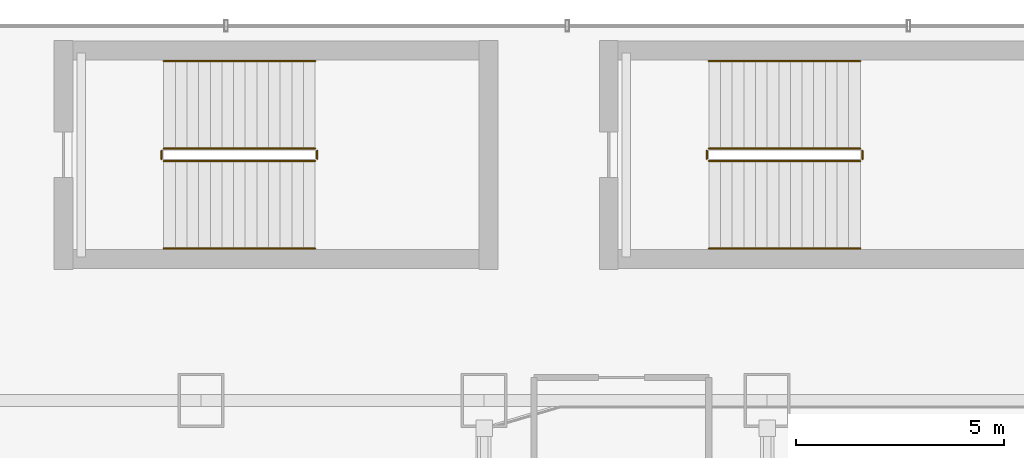
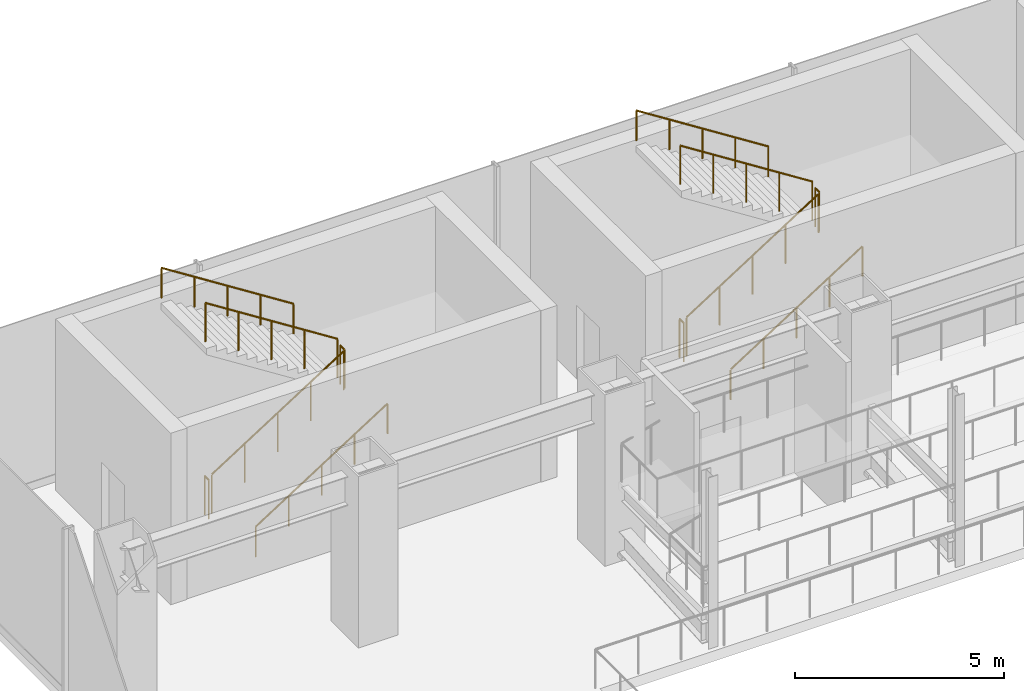
# One storey, part 36 of 39: 12 railings.
"""IFC4 building model written with IfcOpenShell, lengths in metres."""

from ifc_helpers import new_model, si_unit, derived_unit, direction, frame, origin, origin_2d, place, context, subcontext, project, spatial, circle, extrude, material, type_object, element, save


model = new_model("IFC4")

# Units and contexts
model_context = context("Model", 3, precision=1e-05, world=origin(), true_north=direction((0.0, 1.0)))
body_context = subcontext(model_context, "Body", "Model", "MODEL_VIEW")
ifc_project = project(units=[si_unit("LENGTHUNIT", "METRE"), si_unit("AREAUNIT", "SQUARE_METRE"), si_unit("VOLUMEUNIT", "CUBIC_METRE"), si_unit("PLANEANGLEUNIT", "RADIAN"), si_unit("MASSUNIT", "GRAM", prefix="KILO"), derived_unit("THERMALTRANSMITTANCEUNIT", [(si_unit("POWERUNIT", "WATT"), 1), (si_unit("LENGTHUNIT", "METRE"), -2), (si_unit("THERMODYNAMICTEMPERATUREUNIT", "KELVIN"), -1)])], contexts=[model_context])

# Site, building, storey
site_placement = place(None, origin())
site = spatial("IfcSite", under=ifc_project, at=site_placement, CompositionType="ELEMENT")
building_placement = place(site_placement, origin())
building = spatial("IfcBuilding", under=site, at=building_placement, Name="Skarnbrae Concourse Arena and Tower", CompositionType="ELEMENT")
storey_placement = place(building_placement, frame((0.0, 0.0, 11.0)))
storey = spatial("IfcBuildingStorey", under=building, at=storey_placement, Name="L02", CompositionType="ELEMENT", Elevation=11.0)

# Railings
ifc_material = material(Name="Steel CSA G40.21 350W", Category="steel")
railing_type_1 = type_object("IfcRailingType", Name="RAIL-HANDRAIL-900", PredefinedType="HANDRAIL", material=ifc_material)
railing_1_placement = place(storey_placement, frame((6.699951171875, 50.64990234375, 0.178466796875)))
element("IfcRailing", 1, at=railing_1_placement, inside=storey, type_object=railing_type_1, Name="L02 ST-A5 stair handrail 1", PredefinedType="HANDRAIL", context=body_context, shape_type="SweptSolid", body=[
    extrude(circle(Radius=0.02392578125, at=origin_2d()), frame((0.0, 0.0, 0.8759765625), z_axis=(0.843127859045, 0.0, 0.537713132908), x_axis=(0.0, 1.0, 0.0)), (0.0, 0.0, 1.0), 4.3173828125),
    extrude(circle(Radius=0.02099609375, at=origin_2d()), origin(), (0.0, 0.0, 1.0), 0.851806640625),
    extrude(circle(Radius=0.02099609375, at=origin_2d()), frame((0.91015625, 0.0, 0.580322265625)), (0.0, 0.0, 1.0), 0.851806640625),
    extrude(circle(Radius=0.02099609375, at=origin_2d()), frame((1.820068359375, 0.0, 1.16064453125)), (0.0, 0.0, 1.0), 0.851806640625),
    extrude(circle(Radius=0.02099609375, at=origin_2d()), frame((2.72998046875, 0.0, 1.7412109375)), (0.0, 0.0, 1.0), 0.851806640625),
    extrude(circle(Radius=0.02099609375, at=origin_2d()), frame((3.64013671875, 0.0, 2.321533203125)), (0.0, 0.0, 1.0), 0.851806640625),
])
railing_2_placement = place(storey_placement, frame((10.340087890625, 55.14990234375, 2.678466796875)))
element("IfcRailing", 2, at=railing_2_placement, inside=storey, type_object=railing_type_1, Name="L02 ST-A5 stair handrail 2", PredefinedType="HANDRAIL", context=body_context, shape_type="SweptSolid", body=[
    extrude(circle(Radius=0.02392578125, at=origin_2d()), frame((0.0, 0.0, 0.8759765625), z_axis=(-0.843127859045, 0.0, 0.537713132908), x_axis=(0.0, -1.0, 0.0)), (0.0, 0.0, 1.0), 4.3173828125),
    extrude(circle(Radius=0.02099609375, at=origin_2d()), origin(), (0.0, 0.0, 1.0), 0.851806640625),
    extrude(circle(Radius=0.02099609375, at=origin_2d()), frame((-0.91015625, 0.0, 0.580322265625)), (0.0, 0.0, 1.0), 0.851806640625),
    extrude(circle(Radius=0.02099609375, at=origin_2d()), frame((-1.820068359375, 0.0, 1.16064453125)), (0.0, 0.0, 1.0), 0.851806640625),
    extrude(circle(Radius=0.02099609375, at=origin_2d()), frame((-2.72998046875, 0.0, 1.7412109375)), (0.0, 0.0, 1.0), 0.851806640625),
    extrude(circle(Radius=0.02099609375, at=origin_2d()), frame((-3.64013671875, 0.0, 2.321533203125)), (0.0, 0.0, 1.0), 0.851806640625),
])
railing_3_placement = place(storey_placement, frame((19.800048828125, 50.64990234375, 0.178466796875)))
element("IfcRailing", 3, at=railing_3_placement, inside=storey, type_object=railing_type_1, Name="L02 ST-A6 stair handrail 1", PredefinedType="HANDRAIL", context=body_context, shape_type="SweptSolid", body=[
    extrude(circle(Radius=0.02392578125, at=origin_2d()), frame((0.0, 0.0, 0.8759765625), z_axis=(0.843111507901, 0.0, 0.53773877045), x_axis=(0.0, 1.0, 0.0)), (0.0, 0.0, 1.0), 4.317138671875),
    extrude(circle(Radius=0.02099609375, at=origin_2d()), origin(), (0.0, 0.0, 1.0), 0.851806640625),
    extrude(circle(Radius=0.02099609375, at=origin_2d()), frame((0.909912109375, 0.0, 0.580322265625)), (0.0, 0.0, 1.0), 0.851806640625),
    extrude(circle(Radius=0.02099609375, at=origin_2d()), frame((1.81982421875, 0.0, 1.16064453125)), (0.0, 0.0, 1.0), 0.851806640625),
    extrude(circle(Radius=0.02099609375, at=origin_2d()), frame((2.72998046875, 0.0, 1.7412109375)), (0.0, 0.0, 1.0), 0.851806640625),
    extrude(circle(Radius=0.02099609375, at=origin_2d()), frame((3.639892578125, 0.0, 2.321533203125)), (0.0, 0.0, 1.0), 0.851806640625),
])
railing_4_placement = place(storey_placement, frame((23.43994140625, 55.14990234375, 2.678466796875)))
element("IfcRailing", 4, at=railing_4_placement, inside=storey, type_object=railing_type_1, Name="L02 ST-A6 stair handrail 2", PredefinedType="HANDRAIL", context=body_context, shape_type="SweptSolid", body=[
    extrude(circle(Radius=0.02392578125, at=origin_2d()), frame((0.0, 0.0, 0.8759765625), z_axis=(-0.843111507901, 0.0, 0.53773877045), x_axis=(0.0, -1.0, 0.0)), (0.0, 0.0, 1.0), 4.317138671875),
    extrude(circle(Radius=0.02099609375, at=origin_2d()), origin(), (0.0, 0.0, 1.0), 0.851806640625),
    extrude(circle(Radius=0.02099609375, at=origin_2d()), frame((-0.909912109375, 0.0, 0.580322265625)), (0.0, 0.0, 1.0), 0.851806640625),
    extrude(circle(Radius=0.02099609375, at=origin_2d()), frame((-1.81982421875, 0.0, 1.16064453125)), (0.0, 0.0, 1.0), 0.851806640625),
    extrude(circle(Radius=0.02099609375, at=origin_2d()), frame((-2.72998046875, 0.0, 1.7412109375)), (0.0, 0.0, 1.0), 0.851806640625),
    extrude(circle(Radius=0.02099609375, at=origin_2d()), frame((-3.639892578125, 0.0, 2.321533203125)), (0.0, 0.0, 1.0), 0.851806640625),
])
railing_type_2 = type_object("IfcRailingType", Name="RAIL-STAIR-GUARD-1150", PredefinedType="GUARDRAIL", material=ifc_material)
railing_5_placement = place(storey_placement, frame((6.699951171875, 52.75, 0.178466796875)))
element("IfcRailing", 5, at=railing_5_placement, inside=storey, type_object=railing_type_2, Name="L02 ST-A5 stair guard 1", PredefinedType="GUARDRAIL", context=body_context, shape_type="SweptSolid", body=[
    extrude(circle(Radius=0.02392578125, at=origin_2d()), frame((0.0, 0.0, 1.1259765625), z_axis=(0.843127859045, 0.0, 0.537713132908), x_axis=(0.0, 1.0, 0.0)), (0.0, 0.0, 1.0), 4.3173828125),
    extrude(circle(Radius=0.02099609375, at=origin_2d()), origin(), (0.0, 0.0, 1.0), 1.101806640625),
    extrude(circle(Radius=0.02099609375, at=origin_2d()), frame((0.91015625, 0.0, 0.580322265625)), (0.0, 0.0, 1.0), 1.101806640625),
    extrude(circle(Radius=0.02099609375, at=origin_2d()), frame((1.820068359375, 0.0, 1.16064453125)), (0.0, 0.0, 1.0), 1.101806640625),
    extrude(circle(Radius=0.02099609375, at=origin_2d()), frame((2.72998046875, 0.0, 1.7412109375)), (0.0, 0.0, 1.0), 1.101806640625),
    extrude(circle(Radius=0.02099609375, at=origin_2d()), frame((3.64013671875, 0.0, 2.321533203125)), (0.0, 0.0, 1.0), 1.101806640625),
])
railing_6_placement = place(storey_placement, frame((10.389892578125, 52.800048828125, 2.5)))
element("IfcRailing", 6, at=railing_6_placement, inside=storey, type_object=railing_type_2, Name="L02 ST-A5 stair guard 2", PredefinedType="GUARDRAIL", context=body_context, shape_type="SweptSolid", body=[
    extrude(circle(Radius=0.02392578125, at=origin_2d()), frame((0.0, 0.0, 1.1259765625), z_axis=(0.0, 1.0, 0.0), x_axis=(-1.0, 0.0, 0.0)), (0.0, 0.0, 1.0), 0.199951171875),
    extrude(circle(Radius=0.02099609375, at=origin_2d()), origin(), (0.0, 0.0, 1.0), 1.101806640625),
    extrude(circle(Radius=0.02099609375, at=origin_2d()), frame((0.0, 0.199951171875, 0.0)), (0.0, 0.0, 1.0), 1.101806640625),
])
railing_7_placement = place(storey_placement, frame((10.340087890625, 53.050048828125, 2.678466796875)))
element("IfcRailing", 7, at=railing_7_placement, inside=storey, type_object=railing_type_2, Name="L02 ST-A5 stair guard 3", PredefinedType="GUARDRAIL", context=body_context, shape_type="SweptSolid", body=[
    extrude(circle(Radius=0.02392578125, at=origin_2d()), frame((0.0, 0.0, 1.1259765625), z_axis=(-0.843127859045, 0.0, 0.537713132908), x_axis=(0.0, -1.0, 0.0)), (0.0, 0.0, 1.0), 4.3173828125),
    extrude(circle(Radius=0.02099609375, at=origin_2d()), origin(), (0.0, 0.0, 1.0), 1.101806640625),
    extrude(circle(Radius=0.02099609375, at=origin_2d()), frame((-0.91015625, 0.0, 0.580322265625)), (0.0, 0.0, 1.0), 1.101806640625),
    extrude(circle(Radius=0.02099609375, at=origin_2d()), frame((-1.820068359375, 0.0, 1.16064453125)), (0.0, 0.0, 1.0), 1.101806640625),
    extrude(circle(Radius=0.02099609375, at=origin_2d()), frame((-2.72998046875, 0.0, 1.7412109375)), (0.0, 0.0, 1.0), 1.101806640625),
    extrude(circle(Radius=0.02099609375, at=origin_2d()), frame((-3.64013671875, 0.0, 2.321533203125)), (0.0, 0.0, 1.0), 1.101806640625),
])
railing_8_placement = place(storey_placement, frame((6.64990234375, 52.800048828125, 0.0)))
element("IfcRailing", 8, at=railing_8_placement, inside=storey, type_object=railing_type_2, Name="L02 ST-A5 stair guard 4", PredefinedType="GUARDRAIL", context=body_context, shape_type="SweptSolid", body=[
    extrude(circle(Radius=0.02392578125, at=origin_2d()), frame((0.0, 0.0, 1.1259765625), z_axis=(0.0, 1.0, 0.0), x_axis=(-1.0, 0.0, 0.0)), (0.0, 0.0, 1.0), 0.199951171875),
    extrude(circle(Radius=0.02099609375, at=origin_2d()), origin(), (0.0, 0.0, 1.0), 1.101806640625),
    extrude(circle(Radius=0.02099609375, at=origin_2d()), frame((0.0, 0.199951171875, 0.0)), (0.0, 0.0, 1.0), 1.101806640625),
])
railing_9_placement = place(storey_placement, frame((19.800048828125, 52.75, 0.178466796875)))
element("IfcRailing", 9, at=railing_9_placement, inside=storey, type_object=railing_type_2, Name="L02 ST-A6 stair guard 1", PredefinedType="GUARDRAIL", context=body_context, shape_type="SweptSolid", body=[
    extrude(circle(Radius=0.02392578125, at=origin_2d()), frame((0.0, 0.0, 1.1259765625), z_axis=(0.843111507901, 0.0, 0.53773877045), x_axis=(0.0, 1.0, 0.0)), (0.0, 0.0, 1.0), 4.317138671875),
    extrude(circle(Radius=0.02099609375, at=origin_2d()), origin(), (0.0, 0.0, 1.0), 1.101806640625),
    extrude(circle(Radius=0.02099609375, at=origin_2d()), frame((0.909912109375, 0.0, 0.580322265625)), (0.0, 0.0, 1.0), 1.101806640625),
    extrude(circle(Radius=0.02099609375, at=origin_2d()), frame((1.81982421875, 0.0, 1.16064453125)), (0.0, 0.0, 1.0), 1.101806640625),
    extrude(circle(Radius=0.02099609375, at=origin_2d()), frame((2.72998046875, 0.0, 1.7412109375)), (0.0, 0.0, 1.0), 1.101806640625),
    extrude(circle(Radius=0.02099609375, at=origin_2d()), frame((3.639892578125, 0.0, 2.321533203125)), (0.0, 0.0, 1.0), 1.101806640625),
])
railing_10_placement = place(storey_placement, frame((23.489990234375, 52.800048828125, 2.5)))
element("IfcRailing", 10, at=railing_10_placement, inside=storey, type_object=railing_type_2, Name="L02 ST-A6 stair guard 2", PredefinedType="GUARDRAIL", context=body_context, shape_type="SweptSolid", body=[
    extrude(circle(Radius=0.02392578125, at=origin_2d()), frame((0.0, 0.0, 1.1259765625), z_axis=(0.0, 1.0, 0.0), x_axis=(-1.0, 0.0, 0.0)), (0.0, 0.0, 1.0), 0.199951171875),
    extrude(circle(Radius=0.02099609375, at=origin_2d()), origin(), (0.0, 0.0, 1.0), 1.101806640625),
    extrude(circle(Radius=0.02099609375, at=origin_2d()), frame((0.0, 0.199951171875, 0.0)), (0.0, 0.0, 1.0), 1.101806640625),
])
railing_11_placement = place(storey_placement, frame((23.43994140625, 53.050048828125, 2.678466796875)))
element("IfcRailing", 11, at=railing_11_placement, inside=storey, type_object=railing_type_2, Name="L02 ST-A6 stair guard 3", PredefinedType="GUARDRAIL", context=body_context, shape_type="SweptSolid", body=[
    extrude(circle(Radius=0.02392578125, at=origin_2d()), frame((0.0, 0.0, 1.1259765625), z_axis=(-0.843111507901, 0.0, 0.53773877045), x_axis=(0.0, -1.0, 0.0)), (0.0, 0.0, 1.0), 4.317138671875),
    extrude(circle(Radius=0.02099609375, at=origin_2d()), origin(), (0.0, 0.0, 1.0), 1.101806640625),
    extrude(circle(Radius=0.02099609375, at=origin_2d()), frame((-0.909912109375, 0.0, 0.580322265625)), (0.0, 0.0, 1.0), 1.101806640625),
    extrude(circle(Radius=0.02099609375, at=origin_2d()), frame((-1.81982421875, 0.0, 1.16064453125)), (0.0, 0.0, 1.0), 1.101806640625),
    extrude(circle(Radius=0.02099609375, at=origin_2d()), frame((-2.72998046875, 0.0, 1.7412109375)), (0.0, 0.0, 1.0), 1.101806640625),
    extrude(circle(Radius=0.02099609375, at=origin_2d()), frame((-3.639892578125, 0.0, 2.321533203125)), (0.0, 0.0, 1.0), 1.101806640625),
])
railing_12_placement = place(storey_placement, frame((19.75, 52.800048828125, 0.0)))
element("IfcRailing", 12, at=railing_12_placement, inside=storey, type_object=railing_type_2, Name="L02 ST-A6 stair guard 4", PredefinedType="GUARDRAIL", context=body_context, shape_type="SweptSolid", body=[
    extrude(circle(Radius=0.02392578125, at=origin_2d()), frame((0.0, 0.0, 1.1259765625), z_axis=(0.0, 1.0, 0.0), x_axis=(-1.0, 0.0, 0.0)), (0.0, 0.0, 1.0), 0.199951171875),
    extrude(circle(Radius=0.02099609375, at=origin_2d()), origin(), (0.0, 0.0, 1.0), 1.101806640625),
    extrude(circle(Radius=0.02099609375, at=origin_2d()), frame((0.0, 0.199951171875, 0.0)), (0.0, 0.0, 1.0), 1.101806640625),
])

save(model, "model.ifc")
